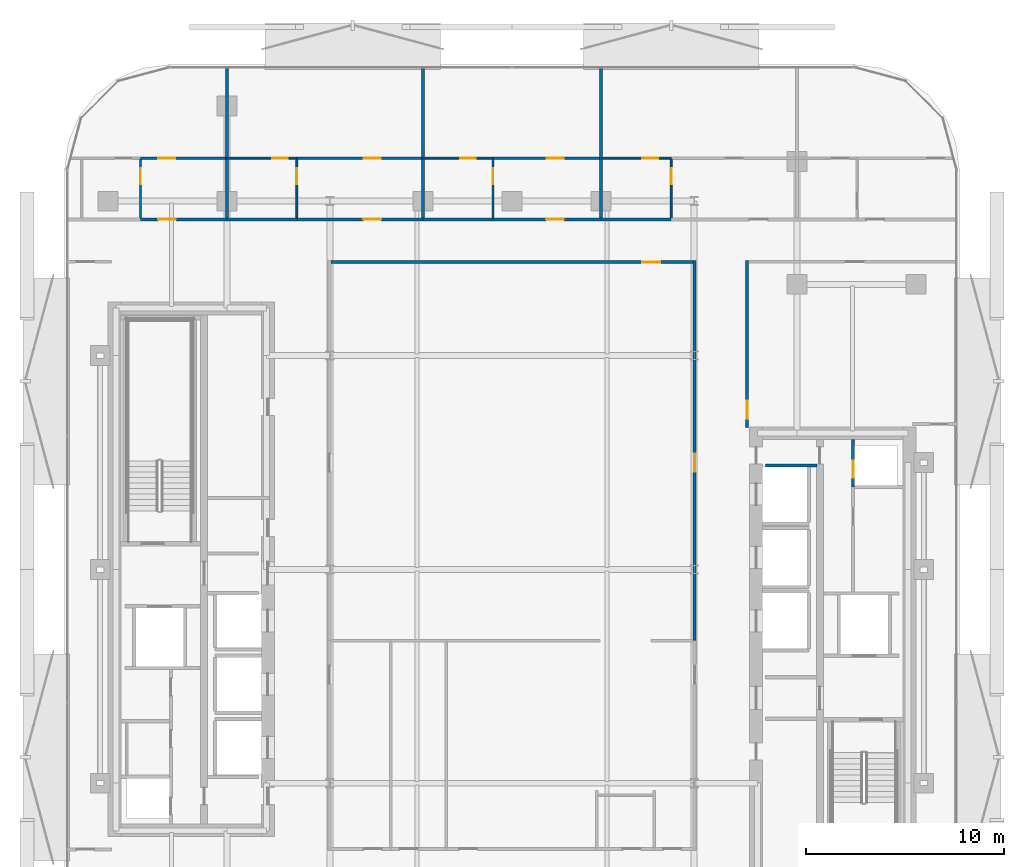
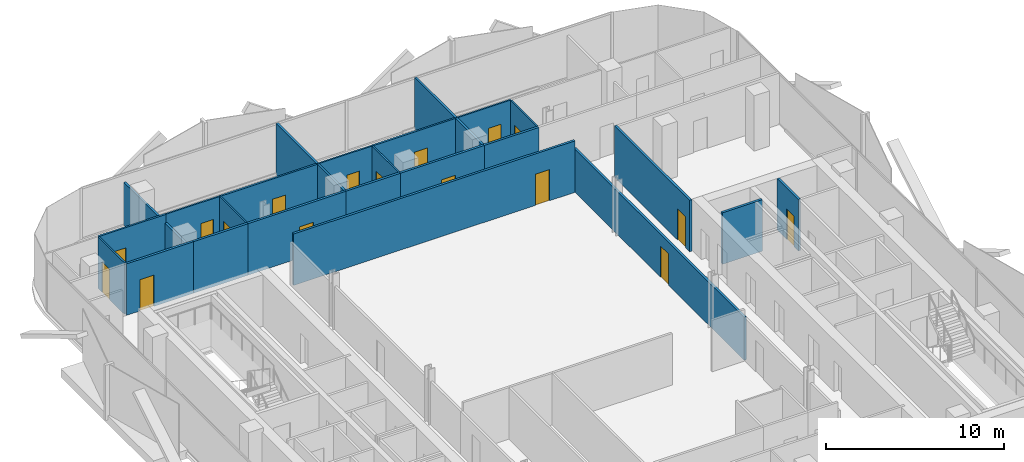
# One storey, part 6 of 17: 27 walls, 17 doors, 17 openings.
"""IFC4 building model written with IfcOpenShell, lengths in metres."""

from ifc_helpers import new_model, si_unit, direction, frame, frame_2d, origin, place, context, subcontext, project, spatial, rectangle, extrude, material, layer, layer_set, type_object, element, fill, save


model = new_model("IFC4")

# Units and contexts
model_context = context("Model", 3, precision=1e-05, world=origin(), true_north=direction((0.0, 1.0)))
body_context = subcontext(model_context, "Body", "Model", "MODEL_VIEW")
ifc_project = project(units=[si_unit("LENGTHUNIT", "METRE"), si_unit("AREAUNIT", "SQUARE_METRE"), si_unit("VOLUMEUNIT", "CUBIC_METRE"), si_unit("PLANEANGLEUNIT", "RADIAN"), si_unit("MASSUNIT", "GRAM", prefix="KILO")], contexts=[model_context])

# Site, building, storey
site_placement = place(None, origin())
site = spatial("IfcSite", under=ifc_project, at=site_placement, CompositionType="ELEMENT")
building_placement = place(site_placement, origin())
building = spatial("IfcBuilding", under=site, at=building_placement, Name="Khairoan Windgate Tower", CompositionType="ELEMENT")
storey_placement = place(building_placement, frame((0.0, 0.0, 172.60009765625)))
storey = spatial("IfcBuildingStorey", under=building, at=storey_placement, Name="L39", CompositionType="ELEMENT", Elevation=172.60009765625)

# Wall, opening, door
ifc_material_1 = material(Name="Moisture-Resistant Gypsum Partition", Category="gypsum")
ifc_layer_1 = layer(ifc_material_1, 0.10009765625, Name="Moisture-Resistant Gypsum Partition")
ifc_layer_set_1 = layer_set([ifc_layer_1], Name="Moisture-Resistant Gypsum Partition")
wall_type_1 = type_object("IfcWallType", Name="Bathroom Wet-Area Partition Wall", PredefinedType="PARTITIONING", material=ifc_layer_set_1)
wall_1_placement = place(storey_placement, frame((-18.763916015625, 17.7548828125, 0.0), z_axis=(0.0, 0.0, 1.0), x_axis=(0.0, 1.0, 0.0)))
wall_1 = element("IfcWall", 1, at=wall_1_placement, inside=storey, type_object=wall_type_1, Name="L39 Interior Partition 048", PredefinedType="PARTITIONING", context=body_context, shape_type="SweptSolid", body=[
    extrude(rectangle(XDim=2.965087890625, YDim=0.10009765625, at=frame_2d((1.482421875, 0.0))), origin(), (0.0, 0.0, 1.0), 3.539794921875),
])
opening_1_placement = place(wall_1_placement, frame((1.705078125, 0.0, 0.0)))
opening_1 = element("IfcOpeningElement", 2, at=opening_1_placement, cuts=wall_1, Name="Opening ID-BTH", PredefinedType="OPENING", context=body_context, shape_type="SweptSolid", body=[
    extrude(rectangle(XDim=0.800048828125, YDim=2.10009765625, at=frame_2d((0.39990234375, 1.050048828125))), frame((0.0, 0.06005859375, 0.0), z_axis=(0.0, -1.0, 0.0), x_axis=(1.0, 0.0, 0.0)), (0.0, 0.0, 1.0), 0.1201171875),
])
ifc_material_2 = material(Name="Teak Veneer Timber Leaf", Category="wood")
door_type_1 = type_object("IfcDoorType", Name="Internal Bathroom Door ID-BTH 800x2100", OperationType="NOTDEFINED", PredefinedType="DOOR", material=ifc_material_2)
door_1_placement = place(opening_1_placement, origin())
door_1 = element("IfcDoor", 3, at=door_1_placement, inside=storey, type_object=door_type_1, Name="L39 L39-37-L39-38 Door", OperationType="SINGLE_SWING_LEFT", OverallHeight=2.10009765625, OverallWidth=0.800048828125, PredefinedType="DOOR", context=body_context, shape_type="SweptSolid", body=[
    extrude(rectangle(XDim=0.800048828125, YDim=2.10009765625, at=frame_2d((0.39990234375, 1.050048828125))), frame((0.0, 0.02490234375, 0.0), z_axis=(0.0, -1.0, 0.0), x_axis=(1.0, 0.0, 0.0)), (0.0, 0.0, 1.0), 0.050048828125),
])
fill(opening_1, door_1)

wall_2_placement = place(storey_placement, frame((-10.860107421875, 17.7548828125, 0.0), z_axis=(0.0, 0.0, 1.0), x_axis=(0.0, 1.0, 0.0)))
wall_2 = element("IfcWall", 4, at=wall_2_placement, inside=storey, type_object=wall_type_1, Name="L39 Interior Partition 053", PredefinedType="PARTITIONING", context=body_context, shape_type="SweptSolid", body=[
    extrude(rectangle(XDim=2.965087890625, YDim=0.10009765625, at=frame_2d((1.482421875, 0.0))), origin(), (0.0, 0.0, 1.0), 3.539794921875),
])
opening_2_placement = place(wall_2_placement, frame((1.705078125, 0.0, 0.0)))
opening_2 = element("IfcOpeningElement", 5, at=opening_2_placement, cuts=wall_2, Name="Opening ID-BTH", PredefinedType="OPENING", context=body_context, shape_type="SweptSolid", body=[
    extrude(rectangle(XDim=0.800048828125, YDim=2.10009765625, at=frame_2d((0.39990234375, 1.050048828125))), frame((0.0, 0.06005859375, 0.0), z_axis=(0.0, -1.0, 0.0), x_axis=(1.0, 0.0, 0.0)), (0.0, 0.0, 1.0), 0.1201171875),
])
door_2_placement = place(opening_2_placement, origin())
door_2 = element("IfcDoor", 6, at=door_2_placement, inside=storey, type_object=door_type_1, Name="L39 L39-40-L39-41 Door", OperationType="SINGLE_SWING_RIGHT", OverallHeight=2.10009765625, OverallWidth=0.800048828125, PredefinedType="DOOR", context=body_context, shape_type="SweptSolid", body=[
    extrude(rectangle(XDim=0.800048828125, YDim=2.10009765625, at=frame_2d((0.39990234375, 1.050048828125))), frame((0.0, 0.02490234375, 0.0), z_axis=(0.0, -1.0, 0.0), x_axis=(1.0, 0.0, 0.0)), (0.0, 0.0, 1.0), 0.050048828125),
])
fill(opening_2, door_2)

wall_3_placement = place(storey_placement, frame((-14.39990234375, 20.77001953125, 0.0), z_axis=(0.0, 0.0, 1.0), x_axis=(1.0, 0.0, 0.0)))
wall_3 = element("IfcWall", 7, at=wall_3_placement, inside=storey, type_object=wall_type_1, Name="L39 Interior Partition 054", PredefinedType="PARTITIONING", context=body_context, shape_type="SweptSolid", body=[
    extrude(rectangle(XDim=3.539794921875, YDim=0.10009765625, at=frame_2d((1.77001953125, 0.0))), origin(), (0.0, 0.0, 1.0), 3.539794921875),
])
opening_3_placement = place(wall_3_placement, frame((2.280029296875, 0.0, 0.0)))
opening_3 = element("IfcOpeningElement", 8, at=opening_3_placement, cuts=wall_3, Name="Opening ID-BTH", PredefinedType="OPENING", context=body_context, shape_type="SweptSolid", body=[
    extrude(rectangle(XDim=0.800048828125, YDim=2.10009765625, at=frame_2d((0.39990234375, 1.050048828125))), frame((0.0, 0.06005859375, 0.0), z_axis=(0.0, -1.0, 0.0), x_axis=(1.0, 0.0, 0.0)), (0.0, 0.0, 1.0), 0.1201171875),
])
door_3_placement = place(opening_3_placement, origin())
door_3 = element("IfcDoor", 9, at=door_3_placement, inside=storey, type_object=door_type_1, Name="L39 L39-40-L39-42 Door", OperationType="SINGLE_SWING_LEFT", OverallHeight=2.10009765625, OverallWidth=0.800048828125, PredefinedType="DOOR", context=body_context, shape_type="SweptSolid", body=[
    extrude(rectangle(XDim=0.800048828125, YDim=2.10009765625, at=frame_2d((0.39990234375, 1.050048828125))), frame((0.0, 0.02490234375, 0.0), z_axis=(0.0, -1.0, 0.0), x_axis=(1.0, 0.0, 0.0)), (0.0, 0.0, 1.0), 0.050048828125),
])
fill(opening_3, door_3)

wall_4_placement = place(storey_placement, frame((-0.9599609375, 17.7548828125, 0.0), z_axis=(0.0, 0.0, 1.0), x_axis=(0.0, 1.0, 0.0)))
wall_4 = element("IfcWall", 10, at=wall_4_placement, inside=storey, type_object=wall_type_1, Name="L39 Interior Partition 058", PredefinedType="PARTITIONING", context=body_context, shape_type="SweptSolid", body=[
    extrude(rectangle(XDim=2.965087890625, YDim=0.10009765625, at=frame_2d((1.482421875, 0.0))), origin(), (0.0, 0.0, 1.0), 3.539794921875),
])
opening_4_placement = place(wall_4_placement, frame((1.705078125, 0.0, 0.0)))
opening_4 = element("IfcOpeningElement", 11, at=opening_4_placement, cuts=wall_4, Name="Opening ID-BTH", PredefinedType="OPENING", context=body_context, shape_type="SweptSolid", body=[
    extrude(rectangle(XDim=0.800048828125, YDim=2.10009765625, at=frame_2d((0.39990234375, 1.050048828125))), frame((0.0, 0.06005859375, 0.0), z_axis=(0.0, -1.0, 0.0), x_axis=(1.0, 0.0, 0.0)), (0.0, 0.0, 1.0), 0.1201171875),
])
door_4_placement = place(opening_4_placement, origin())
door_4 = element("IfcDoor", 12, at=door_4_placement, inside=storey, type_object=door_type_1, Name="L39 L39-43-L39-44 Door", OperationType="SINGLE_SWING_LEFT", OverallHeight=2.10009765625, OverallWidth=0.800048828125, PredefinedType="DOOR", context=body_context, shape_type="SweptSolid", body=[
    extrude(rectangle(XDim=0.800048828125, YDim=2.10009765625, at=frame_2d((0.39990234375, 1.050048828125))), frame((0.0, 0.02490234375, 0.0), z_axis=(0.0, -1.0, 0.0), x_axis=(1.0, 0.0, 0.0)), (0.0, 0.0, 1.0), 0.050048828125),
])
fill(opening_4, door_4)

wall_5_placement = place(storey_placement, frame((-4.5, 20.77001953125, 0.0), z_axis=(0.0, 0.0, 1.0), x_axis=(1.0, 0.0, 0.0)))
wall_5 = element("IfcWall", 13, at=wall_5_placement, inside=storey, type_object=wall_type_1, Name="L39 Interior Partition 059", PredefinedType="PARTITIONING", context=body_context, shape_type="SweptSolid", body=[
    extrude(rectangle(XDim=3.5400390625, YDim=0.10009765625, at=frame_2d((1.77001953125, 0.0))), origin(), (0.0, 0.0, 1.0), 3.539794921875),
])
opening_5_placement = place(wall_5_placement, frame((1.87548828125, 0.0, 0.0)))
opening_5 = element("IfcOpeningElement", 14, at=opening_5_placement, cuts=wall_5, Name="Opening ID-BTH", PredefinedType="OPENING", context=body_context, shape_type="SweptSolid", body=[
    extrude(rectangle(XDim=0.800048828125, YDim=2.10009765625, at=frame_2d((0.39990234375, 1.050048828125))), frame((0.0, 0.06005859375, 0.0), z_axis=(0.0, -1.0, 0.0), x_axis=(1.0, 0.0, 0.0)), (0.0, 0.0, 1.0), 0.1201171875),
])
door_5_placement = place(opening_5_placement, origin())
door_5 = element("IfcDoor", 15, at=door_5_placement, inside=storey, type_object=door_type_1, Name="L39 L39-43-L39-45 Door", OperationType="SINGLE_SWING_RIGHT", OverallHeight=2.10009765625, OverallWidth=0.800048828125, PredefinedType="DOOR", context=body_context, shape_type="SweptSolid", body=[
    extrude(rectangle(XDim=0.800048828125, YDim=2.10009765625, at=frame_2d((0.39990234375, 1.050048828125))), frame((0.0, 0.02490234375, 0.0), z_axis=(0.0, -1.0, 0.0), x_axis=(1.0, 0.0, 0.0)), (0.0, 0.0, 1.0), 0.050048828125),
])
fill(opening_5, door_5)

wall_6_placement = place(storey_placement, frame((8.0400390625, 17.7548828125, 0.0), z_axis=(0.0, 0.0, 1.0), x_axis=(0.0, 1.0, 0.0)))
wall_6 = element("IfcWall", 16, at=wall_6_placement, inside=storey, type_object=wall_type_1, Name="L39 Interior Partition 063", PredefinedType="PARTITIONING", context=body_context, shape_type="SweptSolid", body=[
    extrude(rectangle(XDim=2.965087890625, YDim=0.10009765625, at=frame_2d((1.482421875, 0.0))), origin(), (0.0, 0.0, 1.0), 3.539794921875),
])
opening_6_placement = place(wall_6_placement, frame((1.705078125, 0.0, 0.0)))
opening_6 = element("IfcOpeningElement", 17, at=opening_6_placement, cuts=wall_6, Name="Opening ID-BTH", PredefinedType="OPENING", context=body_context, shape_type="SweptSolid", body=[
    extrude(rectangle(XDim=0.800048828125, YDim=2.10009765625, at=frame_2d((0.39990234375, 1.050048828125))), frame((0.0, 0.06005859375, 0.0), z_axis=(0.0, -1.0, 0.0), x_axis=(1.0, 0.0, 0.0)), (0.0, 0.0, 1.0), 0.1201171875),
])
door_6_placement = place(opening_6_placement, origin())
door_6 = element("IfcDoor", 18, at=door_6_placement, inside=storey, type_object=door_type_1, Name="L39 L39-46-L39-47 Door", OperationType="SINGLE_SWING_RIGHT", OverallHeight=2.10009765625, OverallWidth=0.800048828125, PredefinedType="DOOR", context=body_context, shape_type="SweptSolid", body=[
    extrude(rectangle(XDim=0.800048828125, YDim=2.10009765625, at=frame_2d((0.39990234375, 1.050048828125))), frame((0.0, 0.02490234375, 0.0), z_axis=(0.0, -1.0, 0.0), x_axis=(1.0, 0.0, 0.0)), (0.0, 0.0, 1.0), 0.050048828125),
])
fill(opening_6, door_6)

wall_7_placement = place(storey_placement, frame((4.5, 20.77001953125, 0.0), z_axis=(0.0, 0.0, 1.0), x_axis=(1.0, 0.0, 0.0)))
wall_7 = element("IfcWall", 19, at=wall_7_placement, inside=storey, type_object=wall_type_1, Name="L39 Interior Partition 064", PredefinedType="PARTITIONING", context=body_context, shape_type="SweptSolid", body=[
    extrude(rectangle(XDim=3.5400390625, YDim=0.10009765625, at=frame_2d((1.77001953125, 0.0))), origin(), (0.0, 0.0, 1.0), 3.539794921875),
])
opening_7_placement = place(wall_7_placement, frame((2.077880859375, 0.0, 0.0)))
opening_7 = element("IfcOpeningElement", 20, at=opening_7_placement, cuts=wall_7, Name="Opening ID-BTH", PredefinedType="OPENING", context=body_context, shape_type="SweptSolid", body=[
    extrude(rectangle(XDim=0.800048828125, YDim=2.10009765625, at=frame_2d((0.39990234375, 1.050048828125))), frame((0.0, 0.06005859375, 0.0), z_axis=(0.0, -1.0, 0.0), x_axis=(1.0, 0.0, 0.0)), (0.0, 0.0, 1.0), 0.1201171875),
])
door_7_placement = place(opening_7_placement, origin())
door_7 = element("IfcDoor", 21, at=door_7_placement, inside=storey, type_object=door_type_1, Name="L39 L39-46-L39-48 Door", OperationType="SINGLE_SWING_LEFT", OverallHeight=2.10009765625, OverallWidth=0.800048828125, PredefinedType="DOOR", context=body_context, shape_type="SweptSolid", body=[
    extrude(rectangle(XDim=0.800048828125, YDim=2.10009765625, at=frame_2d((0.39990234375, 1.050048828125))), frame((0.0, 0.02490234375, 0.0), z_axis=(0.0, -1.0, 0.0), x_axis=(1.0, 0.0, 0.0)), (0.0, 0.0, 1.0), 0.050048828125),
])
fill(opening_7, door_7)

# Walls
ifc_material_3 = material(Name="Concrete C40/50", Category="concrete")
ifc_layer_2 = layer(ifc_material_3, 0.159912109375, Name="Concrete C40/50")
ifc_layer_set_2 = layer_set([ifc_layer_2], Name="Concrete C40/50")
wall_type_2 = type_object("IfcWallType", Name="Core and Hoistway Enclosure Wall", PredefinedType="STANDARD", material=ifc_layer_set_2)
wall_8_placement = place(storey_placement, frame((12.800048828125, 5.25, 0.0), z_axis=(0.0, 0.0, 1.0), x_axis=(1.0, 0.0, 0.0)))
element("IfcWall", 22, at=wall_8_placement, inside=storey, type_object=wall_type_2, Name="L39 Core Shaft Wall SW-ESV-L39", PredefinedType="STANDARD", context=body_context, shape_type="SweptSolid", body=[
    extrude(rectangle(XDim=2.599853515625, YDim=0.159912109375, at=frame_2d((1.2998046875, 0.0))), origin(), (0.0, 0.0, 1.0), 3.539794921875),
])
ifc_material_4 = material(Name="Acoustic Fire-Rated Gypsum Partition", Category="gypsum")
ifc_layer_3 = layer(ifc_material_4, 0.139892578125, Name="Acoustic Fire-Rated Gypsum Partition")
ifc_layer_set_3 = layer_set([ifc_layer_3], Name="Acoustic Fire-Rated Gypsum Partition")
wall_type_3 = type_object("IfcWallType", Name="Inter-Tenancy Compartment Wall", PredefinedType="PARTITIONING", material=ifc_layer_set_3)
wall_9_placement = place(storey_placement, frame((-14.39990234375, 17.7548828125, 0.0), z_axis=(0.0, 0.0, 1.0), x_axis=(0.0, 1.0, 0.0)))
element("IfcWall", 23, at=wall_9_placement, inside=storey, type_object=wall_type_3, Name="L39 Interior Partition 051", PredefinedType="PARTITIONING", context=body_context, shape_type="SweptSolid", body=[
    extrude(rectangle(XDim=3.01513671875, YDim=0.139892578125, at=frame_2d((1.507568359375, 0.0))), origin(), (0.0, 0.0, 1.0), 2.951904296875),
])
wall_10_placement = place(storey_placement, frame((-14.39990234375, 20.77001953125, 0.0), z_axis=(0.0, 0.0, 1.0), x_axis=(0.0, 1.0, 0.0)))
element("IfcWall", 24, at=wall_10_placement, inside=storey, type_object=wall_type_3, Name="L39 Interior Partition 052", PredefinedType="PARTITIONING", context=body_context, shape_type="SweptSolid", body=[
    extrude(rectangle(XDim=4.5849609375, YDim=0.139892578125, at=frame_2d((2.29248046875, 0.0))), origin(), (0.0, 0.0, 1.0), 2.951904296875),
])
wall_11_placement = place(storey_placement, frame((-4.5, 17.7548828125, 0.0), z_axis=(0.0, 0.0, 1.0), x_axis=(0.0, 1.0, 0.0)))
element("IfcWall", 25, at=wall_11_placement, inside=storey, type_object=wall_type_3, Name="L39 Interior Partition 056", PredefinedType="PARTITIONING", context=body_context, shape_type="SweptSolid", body=[
    extrude(rectangle(XDim=3.01513671875, YDim=0.139892578125, at=frame_2d((1.507568359375, 0.0))), origin(), (0.0, 0.0, 1.0), 3.539794921875),
])
wall_12_placement = place(storey_placement, frame((-4.5, 20.77001953125, 0.0), z_axis=(0.0, 0.0, 1.0), x_axis=(0.0, 1.0, 0.0)))
element("IfcWall", 26, at=wall_12_placement, inside=storey, type_object=wall_type_3, Name="L39 Interior Partition 057", PredefinedType="PARTITIONING", context=body_context, shape_type="SweptSolid", body=[
    extrude(rectangle(XDim=4.5849609375, YDim=0.139892578125, at=frame_2d((2.29248046875, 0.0))), origin(), (0.0, 0.0, 1.0), 3.539794921875),
])
wall_13_placement = place(storey_placement, frame((4.5, 17.7548828125, 0.0), z_axis=(0.0, 0.0, 1.0), x_axis=(0.0, 1.0, 0.0)))
element("IfcWall", 27, at=wall_13_placement, inside=storey, type_object=wall_type_3, Name="L39 Interior Partition 061", PredefinedType="PARTITIONING", context=body_context, shape_type="SweptSolid", body=[
    extrude(rectangle(XDim=3.01513671875, YDim=0.139892578125, at=frame_2d((1.507568359375, 0.0))), origin(), (0.0, 0.0, 1.0), 3.539794921875),
])
wall_14_placement = place(storey_placement, frame((4.5, 20.77001953125, 0.0), z_axis=(0.0, 0.0, 1.0), x_axis=(0.0, 1.0, 0.0)))
element("IfcWall", 28, at=wall_14_placement, inside=storey, type_object=wall_type_3, Name="L39 Interior Partition 062", PredefinedType="PARTITIONING", context=body_context, shape_type="SweptSolid", body=[
    extrude(rectangle(XDim=4.5849609375, YDim=0.139892578125, at=frame_2d((2.29248046875, 0.0))), origin(), (0.0, 0.0, 1.0), 3.539794921875),
])

# Wall, opening, door
ifc_material_5 = material(Name="Gypsum Stud Partition", Category="gypsum")
ifc_layer_4 = layer(ifc_material_5, 0.1201171875, Name="Gypsum Stud Partition")
ifc_layer_set_4 = layer_set([ifc_layer_4], Name="Gypsum Stud Partition")
wall_type_4 = type_object("IfcWallType", Name="Internal Room Partition Wall", PredefinedType="PARTITIONING", material=ifc_layer_set_4)
wall_15_placement = place(storey_placement, frame((-18.763916015625, 20.77001953125, 0.0), z_axis=(0.0, 0.0, 1.0), x_axis=(1.0, 0.0, 0.0)))
wall_15 = element("IfcWall", 29, at=wall_15_placement, inside=storey, type_object=wall_type_4, Name="L39 Interior Partition 050", PredefinedType="PARTITIONING", context=body_context, shape_type="SweptSolid", body=[
    extrude(rectangle(XDim=4.364013671875, YDim=0.1201171875, at=frame_2d((2.18212890625, 0.0))), origin(), (0.0, 0.0, 1.0), 3.539794921875),
])
opening_8_placement = place(wall_15_placement, frame((0.890625, 0.0, 0.0)))
opening_8 = element("IfcOpeningElement", 30, at=opening_8_placement, cuts=wall_15, Name="Opening ID-RM", PredefinedType="OPENING", context=body_context, shape_type="SweptSolid", body=[
    extrude(rectangle(XDim=0.860107421875, YDim=2.14990234375, at=frame_2d((0.43017578125, 1.074951171875))), frame((0.0, 0.070068359375, 0.0), z_axis=(0.0, -1.0, 0.0), x_axis=(1.0, 0.0, 0.0)), (0.0, 0.0, 1.0), 0.14013671875),
])
ifc_material_6 = material(Name="Teak Veneer Timber Leaf", Category="wood")
door_type_2 = type_object("IfcDoorType", Name="Internal Bedroom and Office Door ID-RM 860x2150", OperationType="NOTDEFINED", PredefinedType="DOOR", material=ifc_material_6)
door_8_placement = place(opening_8_placement, origin())
door_8 = element("IfcDoor", 31, at=door_8_placement, inside=storey, type_object=door_type_2, Name="L39 L39-38-L39-39 Door", OperationType="SINGLE_SWING_LEFT", OverallHeight=2.14990234375, OverallWidth=0.860107421875, PredefinedType="DOOR", context=body_context, shape_type="SweptSolid", body=[
    extrude(rectangle(XDim=0.860107421875, YDim=2.14990234375, at=frame_2d((0.43017578125, 1.074951171875))), frame((0.0, 0.02490234375, 0.0), z_axis=(0.0, -1.0, 0.0), x_axis=(1.0, 0.0, 0.0)), (0.0, 0.0, 1.0), 0.050048828125),
])
fill(opening_8, door_8)

wall_16_placement = place(storey_placement, frame((-10.860107421875, 20.77001953125, 0.0), z_axis=(0.0, 0.0, 1.0), x_axis=(1.0, 0.0, 0.0)))
wall_16 = element("IfcWall", 32, at=wall_16_placement, inside=storey, type_object=wall_type_4, Name="L39 Interior Partition 055", PredefinedType="PARTITIONING", context=body_context, shape_type="SweptSolid", body=[
    extrude(rectangle(XDim=6.360107421875, YDim=0.1201171875, at=frame_2d((3.18017578125, 0.0))), origin(), (0.0, 0.0, 1.0), 3.539794921875),
])
opening_9_placement = place(wall_16_placement, frame((3.37451171875, 0.0, 0.0)))
opening_9 = element("IfcOpeningElement", 33, at=opening_9_placement, cuts=wall_16, Name="Opening ID-RM", PredefinedType="OPENING", context=body_context, shape_type="SweptSolid", body=[
    extrude(rectangle(XDim=0.860107421875, YDim=2.14990234375, at=frame_2d((0.43017578125, 1.074951171875))), frame((0.0, 0.070068359375, 0.0), z_axis=(0.0, -1.0, 0.0), x_axis=(1.0, 0.0, 0.0)), (0.0, 0.0, 1.0), 0.14013671875),
])
door_9_placement = place(opening_9_placement, origin())
door_9 = element("IfcDoor", 34, at=door_9_placement, inside=storey, type_object=door_type_2, Name="L39 L39-41-L39-42 Door", OperationType="SINGLE_SWING_RIGHT", OverallHeight=2.14990234375, OverallWidth=0.860107421875, PredefinedType="DOOR", context=body_context, shape_type="SweptSolid", body=[
    extrude(rectangle(XDim=0.860107421875, YDim=2.14990234375, at=frame_2d((0.43017578125, 1.074951171875))), frame((0.0, 0.02490234375, 0.0), z_axis=(0.0, -1.0, 0.0), x_axis=(1.0, 0.0, 0.0)), (0.0, 0.0, 1.0), 0.050048828125),
])
fill(opening_9, door_9)

wall_17_placement = place(storey_placement, frame((-0.9599609375, 20.77001953125, 0.0), z_axis=(0.0, 0.0, 1.0), x_axis=(1.0, 0.0, 0.0)))
wall_17 = element("IfcWall", 35, at=wall_17_placement, inside=storey, type_object=wall_type_4, Name="L39 Interior Partition 060", PredefinedType="PARTITIONING", context=body_context, shape_type="SweptSolid", body=[
    extrude(rectangle(XDim=5.4599609375, YDim=0.1201171875, at=frame_2d((2.72998046875, 0.0))), origin(), (0.0, 0.0, 1.0), 3.539794921875),
])
opening_10_placement = place(wall_17_placement, frame((2.708984375, 0.0, 0.0)))
opening_10 = element("IfcOpeningElement", 36, at=opening_10_placement, cuts=wall_17, Name="Opening ID-RM", PredefinedType="OPENING", context=body_context, shape_type="SweptSolid", body=[
    extrude(rectangle(XDim=0.860107421875, YDim=2.14990234375, at=frame_2d((0.43017578125, 1.074951171875))), frame((0.0, 0.070068359375, 0.0), z_axis=(0.0, -1.0, 0.0), x_axis=(1.0, 0.0, 0.0)), (0.0, 0.0, 1.0), 0.14013671875),
])
door_10_placement = place(opening_10_placement, origin())
door_10 = element("IfcDoor", 37, at=door_10_placement, inside=storey, type_object=door_type_2, Name="L39 L39-44-L39-45 Door", OperationType="SINGLE_SWING_LEFT", OverallHeight=2.14990234375, OverallWidth=0.860107421875, PredefinedType="DOOR", context=body_context, shape_type="SweptSolid", body=[
    extrude(rectangle(XDim=0.860107421875, YDim=2.14990234375, at=frame_2d((0.43017578125, 1.074951171875))), frame((0.0, 0.02490234375, 0.0), z_axis=(0.0, -1.0, 0.0), x_axis=(1.0, 0.0, 0.0)), (0.0, 0.0, 1.0), 0.050048828125),
])
fill(opening_10, door_10)

ifc_material_7 = material(Name="Concrete C40/50", Category="concrete")
ifc_layer_5 = layer(ifc_material_7, 0.159912109375, Name="Concrete C40/50")
ifc_layer_set_5 = layer_set([ifc_layer_5], Name="Concrete C40/50")
wall_type_5 = type_object("IfcWallType", Name="Plant and Refuge Compartment Wall", PredefinedType="PARTITIONING", material=ifc_layer_set_5)
wall_18_placement = place(storey_placement, frame((17.22998046875, 4.169921875, 0.0), z_axis=(0.0, 0.0, 1.0), x_axis=(0.0, 1.0, 0.0)))
wall_18 = element("IfcWall", 38, at=wall_18_placement, inside=storey, type_object=wall_type_5, Name="L39 Interior Partition 007", PredefinedType="PARTITIONING", context=body_context, shape_type="SweptSolid", body=[
    extrude(rectangle(XDim=2.380126953125, YDim=0.159912109375, at=frame_2d((1.18994140625, 0.0))), origin(), (0.0, 0.0, 1.0), 3.539794921875),
])
opening_11_placement = place(wall_18_placement, frame((0.4599609375, 0.0, 0.0)))
opening_11 = element("IfcOpeningElement", 39, at=opening_11_placement, cuts=wall_18, Name="Opening FD-SRV", PredefinedType="OPENING", context=body_context, shape_type="SweptSolid", body=[
    extrude(rectangle(XDim=0.85009765625, YDim=2.10009765625, at=frame_2d((0.425048828125, 1.050048828125))), frame((0.0, 0.08984375, 0.0), z_axis=(0.0, -1.0, 0.0), x_axis=(1.0, 0.0, 0.0)), (0.0, 0.0, 1.0), 0.179931640625),
])
ifc_material_8 = material(Name="Steel S355", Category="steel")
door_type_3 = type_object("IfcDoorType", Name="Core Service and Riser Fire Door FD-SRV 850x2100", OperationType="NOTDEFINED", PredefinedType="DOOR", material=ifc_material_8)
door_11_placement = place(opening_11_placement, origin())
door_11 = element("IfcDoor", 40, at=door_11_placement, inside=storey, type_object=door_type_3, Name="L39 L39-18-L39-19 Door", OperationType="SINGLE_SWING_LEFT", OverallHeight=2.10009765625, OverallWidth=0.85009765625, PredefinedType="DOOR", context=body_context, shape_type="SweptSolid", body=[
    extrude(rectangle(XDim=0.85009765625, YDim=2.10009765625, at=frame_2d((0.425048828125, 1.050048828125))), frame((0.0, 0.02490234375, 0.0), z_axis=(0.0, -1.0, 0.0), x_axis=(1.0, 0.0, 0.0)), (0.0, 0.0, 1.0), 0.050048828125),
])
fill(opening_11, door_11)

ifc_material_9 = material(Name="Acoustic Fire-Rated Gypsum Partition", Category="gypsum")
ifc_layer_6 = layer(ifc_material_9, 0.14990234375, Name="Acoustic Fire-Rated Gypsum Partition")
ifc_layer_set_6 = layer_set([ifc_layer_6], Name="Acoustic Fire-Rated Gypsum Partition")
wall_type_6 = type_object("IfcWallType", Name="Rated Corridor Partition Wall", PredefinedType="PARTITIONING", material=ifc_layer_set_6)
wall_19_placement = place(storey_placement, frame((9.219970703125, -3.60009765625, 0.0), z_axis=(0.0, 0.0, 1.0), x_axis=(0.0, 1.0, 0.0)))
wall_19 = element("IfcWall", 41, at=wall_19_placement, inside=storey, type_object=wall_type_6, Name="L39 Interior Partition 013", PredefinedType="PARTITIONING", context=body_context, shape_type="SweptSolid", body=[
    extrude(rectangle(XDim=19.195068359375, YDim=0.14990234375, at=frame_2d((9.59765625, 0.0))), origin(), (0.0, 0.0, 1.0), 2.951904296875),
])
opening_12_placement = place(wall_19_placement, frame((8.54150390625, 0.0, 0.0)))
opening_12 = element("IfcOpeningElement", 42, at=opening_12_placement, cuts=wall_19, Name="Opening FD-ENT", PredefinedType="OPENING", context=body_context, shape_type="SweptSolid", body=[
    extrude(rectangle(XDim=0.89990234375, YDim=2.14990234375, at=frame_2d((0.449951171875, 1.074951171875))), frame((0.0, 0.0849609375, 0.0), z_axis=(0.0, -1.0, 0.0), x_axis=(1.0, 0.0, 0.0)), (0.0, 0.0, 1.0), 0.169921875),
])
ifc_material_10 = material(Name="Timber Fire-Rated Core", Category="wood")
door_type_4 = type_object("IfcDoorType", Name="Unit and Office Fire Entrance Door FD-ENT 900x2150", OperationType="NOTDEFINED", PredefinedType="DOOR", material=ifc_material_10)
door_12_placement = place(opening_12_placement, origin())
door_12 = element("IfcDoor", 43, at=door_12_placement, inside=storey, type_object=door_type_4, Name="L39 L39-28-L39-36 Door", OperationType="SINGLE_SWING_RIGHT", OverallHeight=2.14990234375, OverallWidth=0.89990234375, PredefinedType="DOOR", context=body_context, shape_type="SweptSolid", body=[
    extrude(rectangle(XDim=0.89990234375, YDim=2.14990234375, at=frame_2d((0.449951171875, 1.074951171875))), frame((0.0, 0.02490234375, 0.0), z_axis=(0.0, -1.0, 0.0), x_axis=(1.0, 0.0, 0.0)), (0.0, 0.0, 1.0), 0.050048828125),
])
fill(opening_12, door_12)

wall_20_placement = place(storey_placement, frame((11.8798828125, 7.159912109375, 0.0), z_axis=(0.0, 0.0, 1.0), x_axis=(0.0, 1.0, 0.0)))
wall_20 = element("IfcWall", 44, at=wall_20_placement, inside=storey, type_object=wall_type_6, Name="L39 Interior Partition 014", PredefinedType="PARTITIONING", context=body_context, shape_type="SweptSolid", body=[
    extrude(rectangle(XDim=8.455078125, YDim=0.14990234375, at=frame_2d((4.2275390625, 0.0))), origin(), (0.0, 0.0, 1.0), 3.539794921875),
])
opening_13_placement = place(wall_20_placement, frame((0.4599609375, 0.0, 0.0)))
opening_13 = element("IfcOpeningElement", 45, at=opening_13_placement, cuts=wall_20, Name="Opening FD-ENT", PredefinedType="OPENING", context=body_context, shape_type="SweptSolid", body=[
    extrude(rectangle(XDim=0.89990234375, YDim=2.14990234375, at=frame_2d((0.449951171875, 1.074951171875))), frame((0.0, 0.0849609375, 0.0), z_axis=(0.0, -1.0, 0.0), x_axis=(1.0, 0.0, 0.0)), (0.0, 0.0, 1.0), 0.169921875),
])
door_13_placement = place(opening_13_placement, origin())
door_13 = element("IfcDoor", 46, at=door_13_placement, inside=storey, type_object=door_type_4, Name="L39 L39-28-L39-61 Door", OperationType="SINGLE_SWING_LEFT", OverallHeight=2.14990234375, OverallWidth=0.89990234375, PredefinedType="DOOR", context=body_context, shape_type="SweptSolid", body=[
    extrude(rectangle(XDim=0.89990234375, YDim=2.14990234375, at=frame_2d((0.449951171875, 1.074951171875))), frame((0.0, 0.02490234375, 0.0), z_axis=(0.0, -1.0, 0.0), x_axis=(1.0, 0.0, 0.0)), (0.0, 0.0, 1.0), 0.050048828125),
])
fill(opening_13, door_13)

wall_21_placement = place(storey_placement, frame((-9.14501953125, 15.52001953125, 0.0), z_axis=(0.0, 0.0, 1.0), x_axis=(1.0, 0.0, 0.0)))
wall_21 = element("IfcWall", 47, at=wall_21_placement, inside=storey, type_object=wall_type_6, Name="L39 Interior Partition 015", PredefinedType="PARTITIONING", context=body_context, shape_type="SweptSolid", body=[
    extrude(rectangle(XDim=18.2900390625, YDim=0.14990234375, at=frame_2d((9.14501953125, 0.0))), origin(), (0.0, 0.0, 1.0), 3.539794921875),
])
opening_14_placement = place(wall_21_placement, frame((15.724853515625, 0.0, 0.0)))
opening_14 = element("IfcOpeningElement", 48, at=opening_14_placement, cuts=wall_21, Name="Opening FD-ENT", PredefinedType="OPENING", context=body_context, shape_type="SweptSolid", body=[
    extrude(rectangle(XDim=0.89990234375, YDim=2.14990234375, at=frame_2d((0.449951171875, 1.074951171875))), frame((0.0, 0.0849609375, 0.0), z_axis=(0.0, -1.0, 0.0), x_axis=(1.0, 0.0, 0.0)), (0.0, 0.0, 1.0), 0.169921875),
])
door_14_placement = place(opening_14_placement, origin())
door_14 = element("IfcDoor", 49, at=door_14_placement, inside=storey, type_object=door_type_4, Name="L39 L39-29-L39-36 Door", OperationType="SINGLE_SWING_RIGHT", OverallHeight=2.14990234375, OverallWidth=0.89990234375, PredefinedType="DOOR", context=body_context, shape_type="SweptSolid", body=[
    extrude(rectangle(XDim=0.89990234375, YDim=2.14990234375, at=frame_2d((0.449951171875, 1.074951171875))), frame((0.0, 0.02490234375, 0.0), z_axis=(0.0, -1.0, 0.0), x_axis=(1.0, 0.0, 0.0)), (0.0, 0.0, 1.0), 0.050048828125),
])
fill(opening_14, door_14)

wall_22_placement = place(storey_placement, frame((-18.763916015625, 17.679931640625, 0.0), z_axis=(0.0, 0.0, 1.0), x_axis=(1.0, 0.0, 0.0)))
wall_22 = element("IfcWall", 50, at=wall_22_placement, inside=storey, type_object=wall_type_6, Name="L39 Interior Partition 017", PredefinedType="PARTITIONING", context=body_context, shape_type="SweptSolid", body=[
    extrude(rectangle(XDim=4.364013671875, YDim=0.14990234375, at=frame_2d((2.18212890625, 0.0))), origin(), (0.0, 0.0, 1.0), 3.539794921875),
])
opening_15_placement = place(wall_22_placement, frame((0.884033203125, 0.0, 0.0)))
opening_15 = element("IfcOpeningElement", 51, at=opening_15_placement, cuts=wall_22, Name="Opening FD-ENT", PredefinedType="OPENING", context=body_context, shape_type="SweptSolid", body=[
    extrude(rectangle(XDim=0.89990234375, YDim=2.14990234375, at=frame_2d((0.449951171875, 1.074951171875))), frame((0.0, 0.0849609375, 0.0), z_axis=(0.0, -1.0, 0.0), x_axis=(1.0, 0.0, 0.0)), (0.0, 0.0, 1.0), 0.169921875),
])
door_15_placement = place(opening_15_placement, origin())
door_15 = element("IfcDoor", 52, at=door_15_placement, inside=storey, type_object=door_type_4, Name="L39 L39-29-L39-38 Door", OperationType="SINGLE_SWING_LEFT", OverallHeight=2.14990234375, OverallWidth=0.89990234375, PredefinedType="DOOR", context=body_context, shape_type="SweptSolid", body=[
    extrude(rectangle(XDim=0.89990234375, YDim=2.14990234375, at=frame_2d((0.449951171875, 1.074951171875))), frame((0.0, 0.02490234375, 0.0), z_axis=(0.0, -1.0, 0.0), x_axis=(1.0, 0.0, 0.0)), (0.0, 0.0, 1.0), 0.050048828125),
])
fill(opening_15, door_15)

# Wall
wall_23_placement = place(storey_placement, frame((-14.39990234375, 17.679931640625, 0.0), z_axis=(0.0, 0.0, 1.0), x_axis=(1.0, 0.0, 0.0)))
element("IfcWall", 53, at=wall_23_placement, inside=storey, type_object=wall_type_6, Name="L39 Interior Partition 018", PredefinedType="PARTITIONING", context=body_context, shape_type="SweptSolid", body=[
    extrude(rectangle(XDim=3.539794921875, YDim=0.14990234375, at=frame_2d((1.77001953125, 0.0))), origin(), (0.0, 0.0, 1.0), 3.539794921875),
])

# Wall, opening, door
wall_24_placement = place(storey_placement, frame((-10.860107421875, 17.679931640625, 0.0), z_axis=(0.0, 0.0, 1.0), x_axis=(1.0, 0.0, 0.0)))
wall_24 = element("IfcWall", 54, at=wall_24_placement, inside=storey, type_object=wall_type_6, Name="L39 Interior Partition 019", PredefinedType="PARTITIONING", context=body_context, shape_type="SweptSolid", body=[
    extrude(rectangle(XDim=6.360107421875, YDim=0.14990234375, at=frame_2d((3.18017578125, 0.0))), origin(), (0.0, 0.0, 1.0), 3.539794921875),
])
opening_16_placement = place(wall_24_placement, frame((3.34912109375, 0.0, 0.0)))
opening_16 = element("IfcOpeningElement", 55, at=opening_16_placement, cuts=wall_24, Name="Opening FD-ENT", PredefinedType="OPENING", context=body_context, shape_type="SweptSolid", body=[
    extrude(rectangle(XDim=0.89990234375, YDim=2.14990234375, at=frame_2d((0.449951171875, 1.074951171875))), frame((0.0, 0.0849609375, 0.0), z_axis=(0.0, -1.0, 0.0), x_axis=(1.0, 0.0, 0.0)), (0.0, 0.0, 1.0), 0.169921875),
])
door_16_placement = place(opening_16_placement, origin())
door_16 = element("IfcDoor", 56, at=door_16_placement, inside=storey, type_object=door_type_4, Name="L39 L39-29-L39-41 Door", OperationType="SINGLE_SWING_RIGHT", OverallHeight=2.14990234375, OverallWidth=0.89990234375, PredefinedType="DOOR", context=body_context, shape_type="SweptSolid", body=[
    extrude(rectangle(XDim=0.89990234375, YDim=2.14990234375, at=frame_2d((0.449951171875, 1.074951171875))), frame((0.0, 0.02490234375, 0.0), z_axis=(0.0, -1.0, 0.0), x_axis=(1.0, 0.0, 0.0)), (0.0, 0.0, 1.0), 0.050048828125),
])
fill(opening_16, door_16)

# Wall
wall_25_placement = place(storey_placement, frame((-4.5, 17.679931640625, 0.0), z_axis=(0.0, 0.0, 1.0), x_axis=(1.0, 0.0, 0.0)))
element("IfcWall", 57, at=wall_25_placement, inside=storey, type_object=wall_type_6, Name="L39 Interior Partition 020", PredefinedType="PARTITIONING", context=body_context, shape_type="SweptSolid", body=[
    extrude(rectangle(XDim=3.5400390625, YDim=0.14990234375, at=frame_2d((1.77001953125, 0.0))), origin(), (0.0, 0.0, 1.0), 3.539794921875),
])

# Wall, opening, door
wall_26_placement = place(storey_placement, frame((-0.9599609375, 17.679931640625, 0.0), z_axis=(0.0, 0.0, 1.0), x_axis=(1.0, 0.0, 0.0)))
wall_26 = element("IfcWall", 58, at=wall_26_placement, inside=storey, type_object=wall_type_6, Name="L39 Interior Partition 021", PredefinedType="PARTITIONING", context=body_context, shape_type="SweptSolid", body=[
    extrude(rectangle(XDim=5.4599609375, YDim=0.14990234375, at=frame_2d((2.72998046875, 0.0))), origin(), (0.0, 0.0, 1.0), 3.539794921875),
])
opening_17_placement = place(wall_26_placement, frame((2.684326171875, 0.0, 0.0)))
opening_17 = element("IfcOpeningElement", 59, at=opening_17_placement, cuts=wall_26, Name="Opening FD-ENT", PredefinedType="OPENING", context=body_context, shape_type="SweptSolid", body=[
    extrude(rectangle(XDim=0.89990234375, YDim=2.14990234375, at=frame_2d((0.449951171875, 1.074951171875))), frame((0.0, 0.0849609375, 0.0), z_axis=(0.0, -1.0, 0.0), x_axis=(1.0, 0.0, 0.0)), (0.0, 0.0, 1.0), 0.169921875),
])
door_17_placement = place(opening_17_placement, origin())
door_17 = element("IfcDoor", 60, at=door_17_placement, inside=storey, type_object=door_type_4, Name="L39 L39-29-L39-44 Door", OperationType="SINGLE_SWING_LEFT", OverallHeight=2.14990234375, OverallWidth=0.89990234375, PredefinedType="DOOR", context=body_context, shape_type="SweptSolid", body=[
    extrude(rectangle(XDim=0.89990234375, YDim=2.14990234375, at=frame_2d((0.449951171875, 1.074951171875))), frame((0.0, 0.02490234375, 0.0), z_axis=(0.0, -1.0, 0.0), x_axis=(1.0, 0.0, 0.0)), (0.0, 0.0, 1.0), 0.050048828125),
])
fill(opening_17, door_17)

# Wall
wall_27_placement = place(storey_placement, frame((4.5, 17.679931640625, 0.0), z_axis=(0.0, 0.0, 1.0), x_axis=(1.0, 0.0, 0.0)))
element("IfcWall", 61, at=wall_27_placement, inside=storey, type_object=wall_type_6, Name="L39 Interior Partition 022", PredefinedType="PARTITIONING", context=body_context, shape_type="SweptSolid", body=[
    extrude(rectangle(XDim=3.5400390625, YDim=0.14990234375, at=frame_2d((1.77001953125, 0.0))), origin(), (0.0, 0.0, 1.0), 3.539794921875),
])

save(model, "model.ifc")
